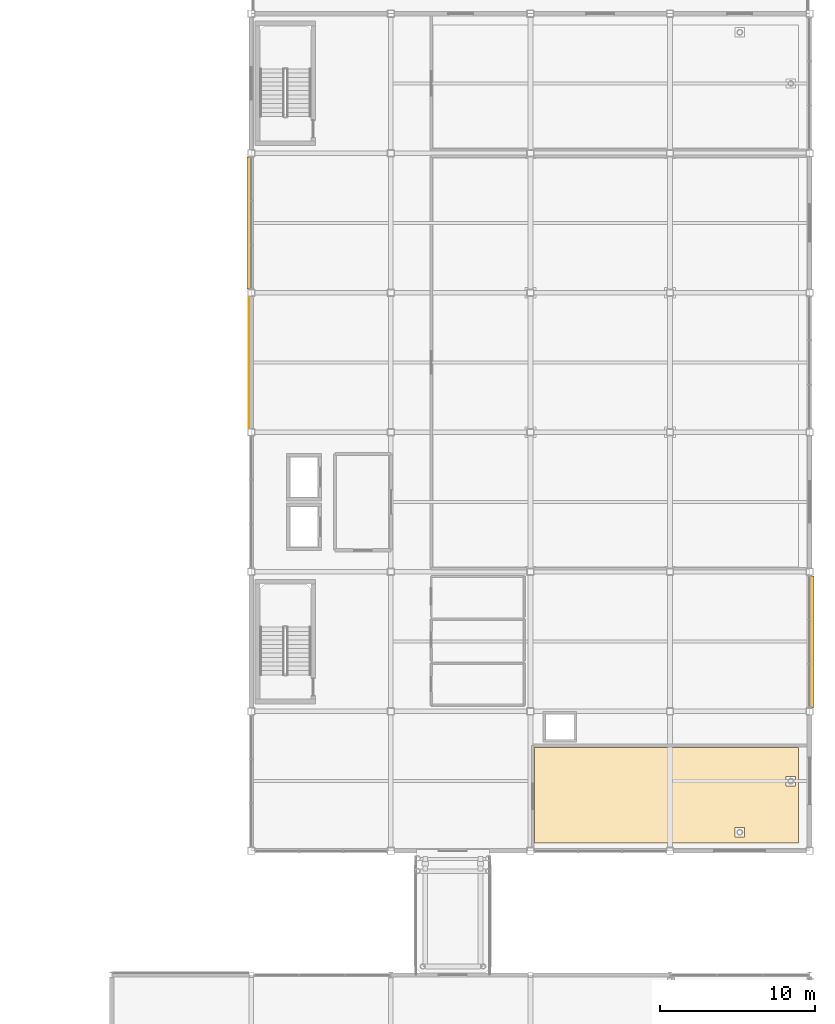
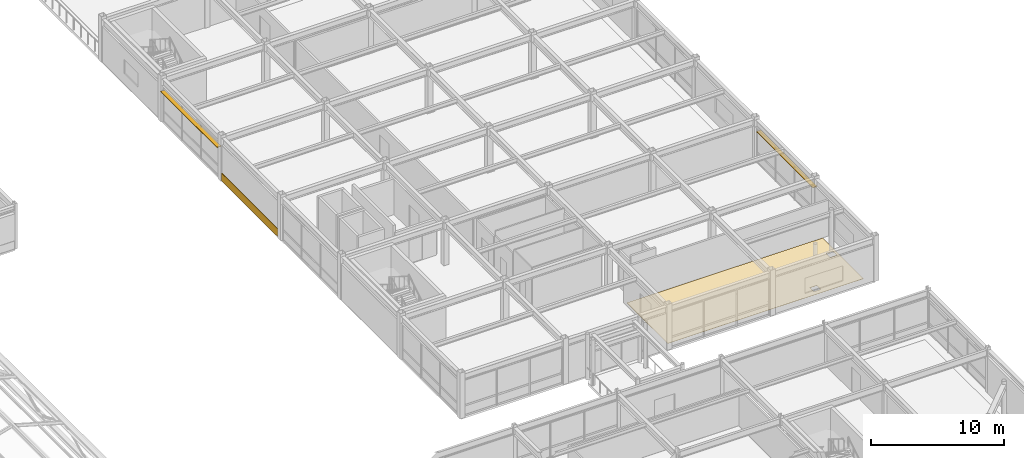
# One storey, part 106 of 108: 2 coverings, 2 shading devices.
"""IFC4 building model written with IfcOpenShell, lengths in metres."""

from ifc_helpers import new_model, si_unit, direction, frame, origin, origin_2d, place, context, subcontext, project, spatial, polyline, rectangle, outline, extrude, material, layer, layer_set, material_profile, profile_set, type_object, element, save


model = new_model("IFC4")

# Units and contexts
model_context = context("Model", 3, precision=1e-05, world=origin(), true_north=direction((0.0, 1.0)))
body_context = subcontext(model_context, "Body", "Model", "MODEL_VIEW")
ifc_project = project(units=[si_unit("LENGTHUNIT", "METRE"), si_unit("AREAUNIT", "SQUARE_METRE"), si_unit("VOLUMEUNIT", "CUBIC_METRE"), si_unit("PLANEANGLEUNIT", "RADIAN"), si_unit("MASSUNIT", "GRAM", prefix="KILO")], contexts=[model_context])

# Site, building, storey
site_placement = place(None, origin())
site = spatial("IfcSite", under=ifc_project, at=site_placement, CompositionType="ELEMENT")
building_placement = place(site_placement, origin())
building = spatial("IfcBuilding", under=site, at=building_placement, Name="Suzunagisa Mobility Hub", CompositionType="ELEMENT")
storey_placement = place(building_placement, frame((0.0, 0.0, 9.300048828125)))
storey = spatial("IfcBuildingStorey", under=building, at=storey_placement, Name="L02", CompositionType="ELEMENT", Elevation=9.300048828125)

# Coverings
ifc_material_1 = material(Name="Polished Aggregate Terrazzo Finish")
ifc_layer_1 = layer(ifc_material_1, 0.02001953125)
ifc_layer_set_1 = layer_set([ifc_layer_1], Name="Polished Aggregate Terrazzo Finish")
covering_type_1 = type_object("IfcCoveringType", Name="Polished Terrazzo Heavy-Traffic Flooring FLR-01", PredefinedType="FLOORING", material=ifc_layer_set_1)
covering_1_placement = place(storey_placement, origin())
element("IfcCovering", 1, at=covering_1_placement, inside=storey, type_object=covering_type_1, Name="L02 Smart-Grid V2G Energy Management Office Terrazzo Flooring", PredefinedType="FLOORING", context=body_context, shape_type="SweptSolid", body=[
    extrude(outline(polyline([(162.27001953125, 44.52001953125), (162.27001953125, 50.679931640625), (179.280029296875, 50.679931640625), (179.280029296875, 44.52001953125), (162.27001953125, 44.52001953125)]), holes=[polyline([(175.7978515625, 45.503662109375), (175.2021484375, 45.503662109375), (175.2021484375, 44.907958984375), (175.7978515625, 44.907958984375), (175.7978515625, 45.503662109375)]), polyline([(179.092041015625, 48.2021484375), (179.092041015625, 48.7978515625), (178.496337890625, 48.7978515625), (178.496337890625, 48.2021484375), (179.092041015625, 48.2021484375)])]), origin(), (0.0, 0.0, 1.0), 0.02001953125),
])
ifc_material_2 = material(Name="Vitreous Porcelain Enamel Aluminum Cladding", Category="aluminium")
ifc_layer_2 = layer(ifc_material_2, 0.034912109375)
ifc_layer_set_2 = layer_set([ifc_layer_2], Name="Vitreous Porcelain Enamel Aluminum Cladding")
covering_type_2 = type_object("IfcCoveringType", Name="Porcelain Enamel Spandrel Cladding Band CLD-01", PredefinedType="CLADDING", material=ifc_layer_set_2)
covering_2_placement = place(storey_placement, frame((143.83251953125, 75.5, 0.06005859375), z_axis=(0.0, 0.0, 1.0), x_axis=(0.0, -1.0, 0.0)))
element("IfcCovering", 2, at=covering_2_placement, inside=storey, type_object=covering_type_2, Name="L02 Porcelain Spandrel Cladding Band CLD-41", PredefinedType="CLADDING", context=body_context, shape_type="SweptSolid", body=[
    extrude(rectangle(XDim=8.449951171875, YDim=0.034912109375, at=origin_2d()), origin(), (0.0, 0.0, 1.0), 0.719970703125),
])

# Shading devices
ifc_material_3 = material(Name="Fluoropolymer-Coated Extruded Aluminum 6063-T5", Category="aluminium")
ifc_material_profile_1 = material_profile(ifc_material_3, rectangle(XDim=0.360107421875, YDim=0.050048828125, at=origin_2d()), Name="FIN-360x50")
ifc_profile_set_1 = profile_set([ifc_material_profile_1], Name="Fluoropolymer-Coated Extruded Aluminum 6063-T5")
shading_device_type_1 = type_object("IfcShadingDeviceType", Name="Streamline Aluminum Sunshade SF-01 FIN-360x50", PredefinedType="SHUTTER", material=ifc_profile_set_1)
shading_device_1_placement = place(storey_placement, frame((180.110107421875, 53.2548828125, 2.849853515625), z_axis=(0.0, 1.0, 0.0), x_axis=(-1.0, 0.0, 0.0)))
element("IfcShadingDevice", 3, at=shading_device_1_placement, inside=storey, type_object=shading_device_type_1, Name="L02 Streamline Speed-Rail Sunshade Fin SF-43", PredefinedType="SHUTTER", context=body_context, shape_type="SweptSolid", body=[
    extrude(rectangle(XDim=0.360107421875, YDim=0.050048828125, at=origin_2d()), origin(), (0.0, 0.0, 1.0), 8.490234375),
])
ifc_material_profile_2 = material_profile(ifc_material_3, rectangle(XDim=0.360107421875, YDim=0.050048828125, at=origin_2d()), Name="FIN-360x50")
ifc_profile_set_2 = profile_set([ifc_material_profile_2], Name="Fluoropolymer-Coated Extruded Aluminum 6063-T5")
shading_device_type_2 = type_object("IfcShadingDeviceType", Name="Streamline Aluminum Sunshade SF-04 FIN-360x50", PredefinedType="USERDEFINED", material=ifc_profile_set_2)
shading_device_2_placement = place(storey_placement, frame((143.889892578125, 88.7451171875, 2.849853515625), z_axis=(0.0, -1.0, 0.0), x_axis=(1.0, 0.0, 0.0)))
element("IfcShadingDevice", 4, at=shading_device_2_placement, inside=storey, type_object=shading_device_type_2, Name="L02 Streamline Speed-Rail Sunshade Fin SF-44", ObjectType="SUNSHADE FIN", PredefinedType="USERDEFINED", context=body_context, shape_type="SweptSolid", body=[
    extrude(rectangle(XDim=0.360107421875, YDim=0.050048828125, at=origin_2d()), origin(), (0.0, 0.0, 1.0), 8.490234375),
])

save(model, "model.ifc")
